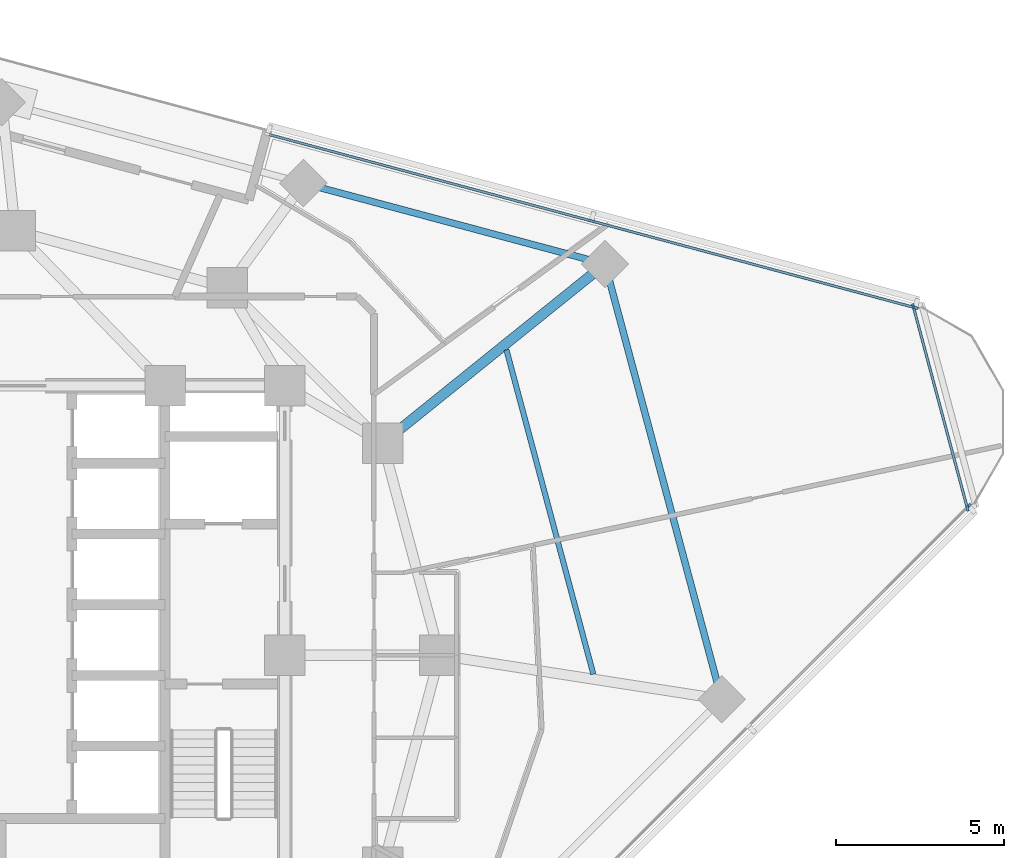
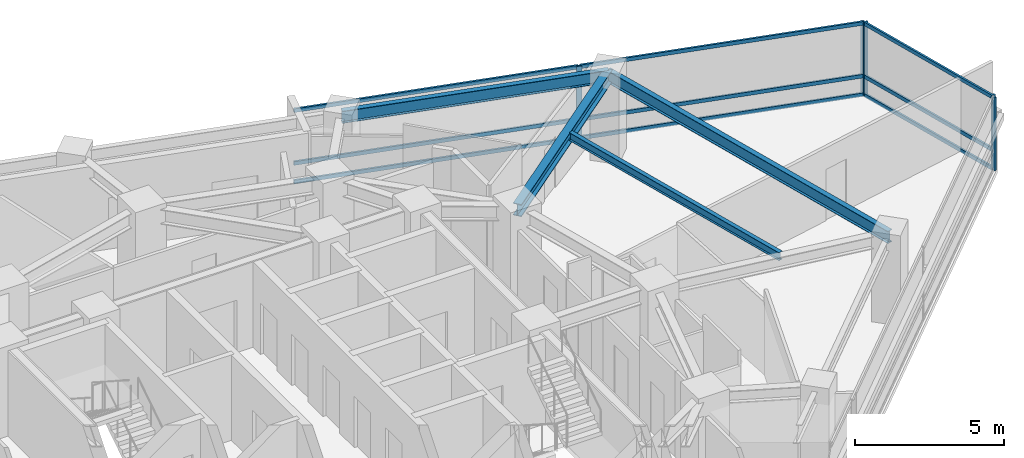
# One storey, part 5 of 14: 14 members, 4 beams, 3 elements without a shape of their own.
"""IFC4 building model written with IfcOpenShell, lengths in metres."""

from ifc_helpers import new_model, si_unit, direction, frame, origin, origin_2d, place, context, subcontext, project, spatial, rectangle, i_section, extrude, material, layer, layer_set, material_profile, profile_set, type_object, element, aggregate, save


model = new_model("IFC4")

# Units and contexts
model_context = context("Model", 3, precision=1e-05, world=origin(), true_north=direction((0.0, 1.0)))
body_context = subcontext(model_context, "Body", "Model", "MODEL_VIEW")
ifc_project = project(units=[si_unit("LENGTHUNIT", "METRE"), si_unit("AREAUNIT", "SQUARE_METRE"), si_unit("VOLUMEUNIT", "CUBIC_METRE"), si_unit("PLANEANGLEUNIT", "RADIAN"), si_unit("MASSUNIT", "GRAM", prefix="KILO")], contexts=[model_context])

# Site, building, storey
site_placement = place(None, origin())
site = spatial("IfcSite", under=ifc_project, at=site_placement, CompositionType="ELEMENT")
building_placement = place(site_placement, origin())
building = spatial("IfcBuilding", under=site, at=building_placement, Name="Terralouvre Media Tower", CompositionType="ELEMENT")
storey_placement = place(building_placement, frame((0.0, 0.0, 191.60009765625)))
storey = spatial("IfcBuildingStorey", under=building, at=storey_placement, Name="L49", CompositionType="ELEMENT", Elevation=191.60009765625)

# Beam
ifc_material_1 = material(Name="Structural steel S355J2", Category="steel")
ifc_material_profile_1 = material_profile(ifc_material_1, i_section(OverallWidth=0.159912109375, OverallDepth=0.330078125, WebThickness=0.007568359375, FlangeThickness=0.011474609375, at=origin_2d()), Name="IPE 330")
ifc_profile_set_1 = profile_set([ifc_material_profile_1], Name="Structural steel S355J2")
beam_type_1 = type_object("IfcBeamType", Name="Composite Floor Joist J-IPE330 (IPE 330)", PredefinedType="JOIST", material=ifc_profile_set_1)
beam_1_placement = place(storey_placement, frame((17.16357421875, -0.56103515625, 3.3349609375), z_axis=(-0.258827084055, 0.965923672222, 0.0), x_axis=(-0.965923672222, -0.258827084055, 0.0)))
element("IfcBeam", 1, at=beam_1_placement, inside=storey, type_object=beam_type_1, Name="L49 Framing Beam JT-L49-03", PredefinedType="JOIST", context=body_context, shape_type="SweptSolid", body=[
    extrude(i_section(OverallWidth=0.159912109375, OverallDepth=0.330078125, WebThickness=0.007568359375, FlangeThickness=0.011474609375, at=origin_2d()), origin(), (0.0, 0.0, 1.0), 9.96826171875),
])

# Curtain wall, members
ifc_material_2 = material(Name="Low-iron laminated double glazing with solar-control coating", Category="glass")
ifc_layer_1 = layer(ifc_material_2, 0.1650390625, Name="Production Studio Tower Curtain Wall CW-03")
ifc_layer_set_1 = layer_set([ifc_layer_1], Name="Low-iron laminated double glazing with solar-control coating")
curtain_wall_type_1 = type_object("IfcCurtainWallType", Name="Production Studio Tower Curtain Wall CW-03", PredefinedType="NOTDEFINED", material=ifc_layer_set_1)
curtain_wall_1_placement = place(storey_placement, origin())
curtain_wall_1 = element("IfcCurtainWall", 2, at=curtain_wall_1_placement, inside=storey, type_object=curtain_wall_type_1, Name="L49 Left Flank Curtain Wall F1", PredefinedType="NOTDEFINED")
ifc_material_3 = material(Name="Anodised extruded aluminium 6063-T6", Category="aluminium")
ifc_material_profile_2 = material_profile(ifc_material_3, rectangle(XDim=0.074951171875, YDim=0.14990234375, at=origin_2d()), Name="ALU 75x150")
ifc_profile_set_2 = profile_set([ifc_material_profile_2], Name="Anodised extruded aluminium 6063-T6")
member_type_1 = type_object("IfcMemberType", Name="Curtain-Wall Horizontal Transom TR-150", PredefinedType="USERDEFINED", material=ifc_profile_set_2)
member_1_placement = place(storey_placement, frame((26.687255859375, 10.32763671875, 0.037353515625), z_axis=(-0.965920799205, 0.258837805708, 0.0), x_axis=(-0.258837805708, -0.965920799205, 0.0)))
member_1 = element("IfcMember", 3, at=member_1_placement, type_object=member_type_1, Name="CW-03 transom 1.1", ObjectType="TRANSOM", PredefinedType="USERDEFINED", context=body_context, shape_type="SweptSolid", body=[
    extrude(rectangle(XDim=0.074951171875, YDim=0.14990234375, at=origin_2d()), origin(), (0.0, 0.0, 1.0), 9.87744140625),
])
member_2_placement = place(storey_placement, frame((26.687255859375, 10.32763671875, 0.7998046875), z_axis=(-0.965920799205, 0.258837805708, 0.0), x_axis=(-0.258837805708, -0.965920799205, 0.0)))
member_2 = element("IfcMember", 4, at=member_2_placement, type_object=member_type_1, Name="CW-03 transom 1.2", ObjectType="TRANSOM", PredefinedType="USERDEFINED", context=body_context, shape_type="SweptSolid", body=[
    extrude(rectangle(XDim=0.074951171875, YDim=0.14990234375, at=origin_2d()), origin(), (0.0, 0.0, 1.0), 9.87744140625),
])
member_3_placement = place(storey_placement, frame((26.687255859375, 10.32763671875, 2.96240234375), z_axis=(-0.965920799205, 0.258837805708, 0.0), x_axis=(-0.258837805708, -0.965920799205, 0.0)))
member_3 = element("IfcMember", 5, at=member_3_placement, type_object=member_type_1, Name="CW-03 transom 1.3", ObjectType="TRANSOM", PredefinedType="USERDEFINED", context=body_context, shape_type="SweptSolid", body=[
    extrude(rectangle(XDim=0.074951171875, YDim=0.14990234375, at=origin_2d()), origin(), (0.0, 0.0, 1.0), 9.87744140625),
])
member_4_placement = place(storey_placement, frame((17.073974609375, 12.903564453125, 0.037353515625), z_axis=(-0.965928634298, 0.258808565244, 0.0), x_axis=(-0.258808565244, -0.965928634298, 0.0)))
member_4 = element("IfcMember", 6, at=member_4_placement, type_object=member_type_1, Name="CW-03 transom 2.1", ObjectType="TRANSOM", PredefinedType="USERDEFINED", context=body_context, shape_type="SweptSolid", body=[
    extrude(rectangle(XDim=0.074951171875, YDim=0.14990234375, at=origin_2d()), origin(), (0.0, 0.0, 1.0), 9.87744140625),
])
member_5_placement = place(storey_placement, frame((17.073974609375, 12.903564453125, 0.7998046875), z_axis=(-0.965928634298, 0.258808565244, 0.0), x_axis=(-0.258808565244, -0.965928634298, 0.0)))
member_5 = element("IfcMember", 7, at=member_5_placement, type_object=member_type_1, Name="CW-03 transom 2.2", ObjectType="TRANSOM", PredefinedType="USERDEFINED", context=body_context, shape_type="SweptSolid", body=[
    extrude(rectangle(XDim=0.074951171875, YDim=0.14990234375, at=origin_2d()), origin(), (0.0, 0.0, 1.0), 9.87744140625),
])
member_6_placement = place(storey_placement, frame((17.073974609375, 12.903564453125, 2.96240234375), z_axis=(-0.965928634298, 0.258808565244, 0.0), x_axis=(-0.258808565244, -0.965928634298, 0.0)))
member_6 = element("IfcMember", 8, at=member_6_placement, type_object=member_type_1, Name="CW-03 transom 2.3", ObjectType="TRANSOM", PredefinedType="USERDEFINED", context=body_context, shape_type="SweptSolid", body=[
    extrude(rectangle(XDim=0.074951171875, YDim=0.14990234375, at=origin_2d()), origin(), (0.0, 0.0, 1.0), 9.87744140625),
])

ifc_material_4 = material(Name="Low-iron laminated double glazing with solar-control coating", Category="glass")
ifc_layer_2 = layer(ifc_material_4, 0.1650390625, Name="Rounded Wind-Corner Curved Glazing CW-04")
ifc_layer_set_2 = layer_set([ifc_layer_2], Name="Low-iron laminated double glazing with solar-control coating")
curtain_wall_type_2 = type_object("IfcCurtainWallType", Name="Rounded Wind-Corner Curved Glazing CW-04", PredefinedType="NOTDEFINED", material=ifc_layer_set_2)
curtain_wall_2_placement = place(storey_placement, origin())
curtain_wall_2 = element("IfcCurtainWall", 9, at=curtain_wall_2_placement, inside=storey, type_object=curtain_wall_type_2, Name="L49 Rounded Wind-Corner Curtain Wall C1", PredefinedType="NOTDEFINED")
member_7_placement = place(storey_placement, frame((28.259033203125, 4.404052734375, 0.037353515625), z_axis=(-0.25882448687, 0.965924368155, 0.0), x_axis=(-0.965924368155, -0.25882448687, 0.0)))
member_7 = element("IfcMember", 10, at=member_7_placement, type_object=member_type_1, Name="CW-04 transom 1.1", ObjectType="TRANSOM", PredefinedType="USERDEFINED", context=body_context, shape_type="SweptSolid", body=[
    extrude(rectangle(XDim=0.074951171875, YDim=0.14990234375, at=origin_2d()), origin(), (0.0, 0.0, 1.0), 6.119873046875),
])
member_8_placement = place(storey_placement, frame((28.259033203125, 4.404052734375, 0.7998046875), z_axis=(-0.25882448687, 0.965924368155, 0.0), x_axis=(-0.965924368155, -0.25882448687, 0.0)))
member_8 = element("IfcMember", 11, at=member_8_placement, type_object=member_type_1, Name="CW-04 transom 1.2", ObjectType="TRANSOM", PredefinedType="USERDEFINED", context=body_context, shape_type="SweptSolid", body=[
    extrude(rectangle(XDim=0.074951171875, YDim=0.14990234375, at=origin_2d()), origin(), (0.0, 0.0, 1.0), 6.119873046875),
])
member_9_placement = place(storey_placement, frame((28.259033203125, 4.404052734375, 2.96240234375), z_axis=(-0.25882448687, 0.965924368155, 0.0), x_axis=(-0.965924368155, -0.25882448687, 0.0)))
member_9 = element("IfcMember", 12, at=member_9_placement, type_object=member_type_1, Name="CW-04 transom 1.3", ObjectType="TRANSOM", PredefinedType="USERDEFINED", context=body_context, shape_type="SweptSolid", body=[
    extrude(rectangle(XDim=0.074951171875, YDim=0.14990234375, at=origin_2d()), origin(), (0.0, 0.0, 1.0), 6.119873046875),
])

# Curtain wall, member
curtain_wall_3_placement = place(storey_placement, origin())
curtain_wall_3 = element("IfcCurtainWall", 13, at=curtain_wall_3_placement, inside=storey, type_object=curtain_wall_type_1, Name="L49 Facade Curtain Wall F0", PredefinedType="NOTDEFINED")
ifc_material_5 = material(Name="Anodised extruded aluminium 6063-T6", Category="aluminium")
ifc_material_profile_3 = material_profile(ifc_material_5, rectangle(XDim=0.074951171875, YDim=0.179931640625, at=origin_2d()), Name="ALU 75x180")
ifc_profile_set_3 = profile_set([ifc_material_profile_3], Name="Anodised extruded aluminium 6063-T6")
member_type_2 = type_object("IfcMemberType", Name="Curtain-Wall Vertical Mullion ML-180", PredefinedType="MULLION", material=ifc_profile_set_3)
member_10_placement = place(storey_placement, frame((28.30224609375, 4.42626953125, 0.0), z_axis=(0.0, 0.0, 1.0), x_axis=(-0.707106781187, 0.707106781187, 0.0)))
member_10 = element("IfcMember", 14, at=member_10_placement, type_object=member_type_2, Name="CW-03 mullion 6", PredefinedType="MULLION", context=body_context, shape_type="SweptSolid", body=[
    extrude(rectangle(XDim=0.074951171875, YDim=0.179931640625, at=origin_2d()), origin(), (0.0, 0.0, 1.0), 3.0),
])
aggregate(curtain_wall_3, [member_10])

# Member
member_11_placement = place(storey_placement, frame((26.7236328125, 10.31787109375, 0.0), z_axis=(0.0, 0.0, 1.0), x_axis=(-0.258818809065, -0.965925889535, 0.0)))
member_11 = element("IfcMember", 15, at=member_11_placement, type_object=member_type_2, Name="CW-03 mullion 1", PredefinedType="MULLION", context=body_context, shape_type="SweptSolid", body=[
    extrude(rectangle(XDim=0.074951171875, YDim=0.179931640625, at=origin_2d()), origin(), (0.0, 0.0, 1.0), 3.0),
])

member_12_placement = place(storey_placement, frame((17.110107421875, 12.893798828125, 0.0), z_axis=(0.0, 0.0, 1.0), x_axis=(-0.258818809065, -0.965925889535, 0.0)))
member_12 = element("IfcMember", 16, at=member_12_placement, type_object=member_type_2, Name="CW-03 mullion 2", PredefinedType="MULLION", context=body_context, shape_type="SweptSolid", body=[
    extrude(rectangle(XDim=0.074951171875, YDim=0.179931640625, at=origin_2d()), origin(), (0.0, 0.0, 1.0), 3.0),
])

aggregate(curtain_wall_1, [member_11, member_12, member_1, member_2, member_3, member_4, member_5, member_6])

member_13_placement = place(storey_placement, frame((28.268798828125, 4.367919921875, 0.0), z_axis=(0.0, 0.0, 1.0), x_axis=(-0.965925911218, -0.258818728144, 0.0)))
member_13 = element("IfcMember", 17, at=member_13_placement, type_object=member_type_2, Name="CW-04 mullion 1", PredefinedType="MULLION", context=body_context, shape_type="SweptSolid", body=[
    extrude(rectangle(XDim=0.074951171875, YDim=0.179931640625, at=origin_2d()), origin(), (0.0, 0.0, 1.0), 3.0),
])

member_14_placement = place(storey_placement, frame((26.665283203125, 10.351806640625, 0.0), z_axis=(0.0, 0.0, 1.0), x_axis=(-0.965925911218, -0.258818728144, 0.0)))
member_14 = element("IfcMember", 18, at=member_14_placement, type_object=member_type_2, Name="CW-04 mullion 2", PredefinedType="MULLION", context=body_context, shape_type="SweptSolid", body=[
    extrude(rectangle(XDim=0.074951171875, YDim=0.179931640625, at=origin_2d()), origin(), (0.0, 0.0, 1.0), 3.0),
])

aggregate(curtain_wall_2, [member_13, member_14, member_7, member_8, member_9])

# Beams
ifc_material_6 = material(Name="Structural steel S355J2", Category="steel")
ifc_material_profile_4 = material_profile(ifc_material_6, i_section(OverallWidth=0.199951171875, OverallDepth=0.5, WebThickness=0.01025390625, FlangeThickness=0.01611328125, at=origin_2d()), Name="IPE 500")
ifc_profile_set_4 = profile_set([ifc_material_profile_4], Name="Structural steel S355J2")
beam_type_2 = type_object("IfcBeamType", Name="Perimeter Spandrel Beam SPB-500 (IPE 500)", PredefinedType="SPANDREL", material=ifc_profile_set_4)
beam_2_placement = place(storey_placement, frame((20.973388671875, -1.3046875, 3.25), z_axis=(-0.258815451972, 0.965926789058, 0.0), x_axis=(-0.965926789058, -0.258815451972, 0.0)))
element("IfcBeam", 19, at=beam_2_placement, inside=storey, type_object=beam_type_2, Name="L49 Framing Beam BM-L49-PR06", PredefinedType="SPANDREL", context=body_context, shape_type="SweptSolid", body=[
    extrude(i_section(OverallWidth=0.199951171875, OverallDepth=0.5, WebThickness=0.01025390625, FlangeThickness=0.01611328125, at=origin_2d()), origin(), (0.0, 0.0, 1.0), 13.376953125),
])
beam_3_placement = place(storey_placement, frame((17.51123046875, 11.616455078125, 3.25), z_axis=(-0.965922193685, 0.258832601786, 0.0), x_axis=(-0.258832601786, -0.965922193685, 0.0)))
element("IfcBeam", 20, at=beam_3_placement, inside=storey, type_object=beam_type_2, Name="L49 Framing Beam BM-L49-PR07", PredefinedType="SPANDREL", context=body_context, shape_type="SweptSolid", body=[
    extrude(i_section(OverallWidth=0.199951171875, OverallDepth=0.5, WebThickness=0.01025390625, FlangeThickness=0.01611328125, at=origin_2d()), origin(), (0.0, 0.0, 1.0), 9.27197265625),
])
ifc_material_7 = material(Name="Structural steel S355J2", Category="steel")
ifc_material_profile_5 = material_profile(ifc_material_7, i_section(OverallWidth=0.300048828125, OverallDepth=0.5, WebThickness=0.014404296875, FlangeThickness=0.028076171875, at=origin_2d()), Name="HEB 500")
ifc_profile_set_5 = profile_set([ifc_material_profile_5], Name="Structural steel S355J2")
beam_type_3 = type_object("IfcBeamType", Name="Primary Floor Girder B-HEB500 (HEB 500)", PredefinedType="BEAM", material=ifc_profile_set_5)
beam_4_placement = place(storey_placement, frame((10.911865234375, 6.300048828125, 3.25), z_axis=(0.778739443649, 0.62734749454, 0.0), x_axis=(-0.62734749454, 0.778739443649, 0.0)))
element("IfcBeam", 21, at=beam_4_placement, inside=storey, type_object=beam_type_3, Name="L49 Framing Beam BM-L49-RD07", PredefinedType="BEAM", context=body_context, shape_type="SweptSolid", body=[
    extrude(i_section(OverallWidth=0.300048828125, OverallDepth=0.5, WebThickness=0.014404296875, FlangeThickness=0.028076171875, at=origin_2d()), origin(), (0.0, 0.0, 1.0), 8.474365234375),
])

save(model, "model.ifc")
